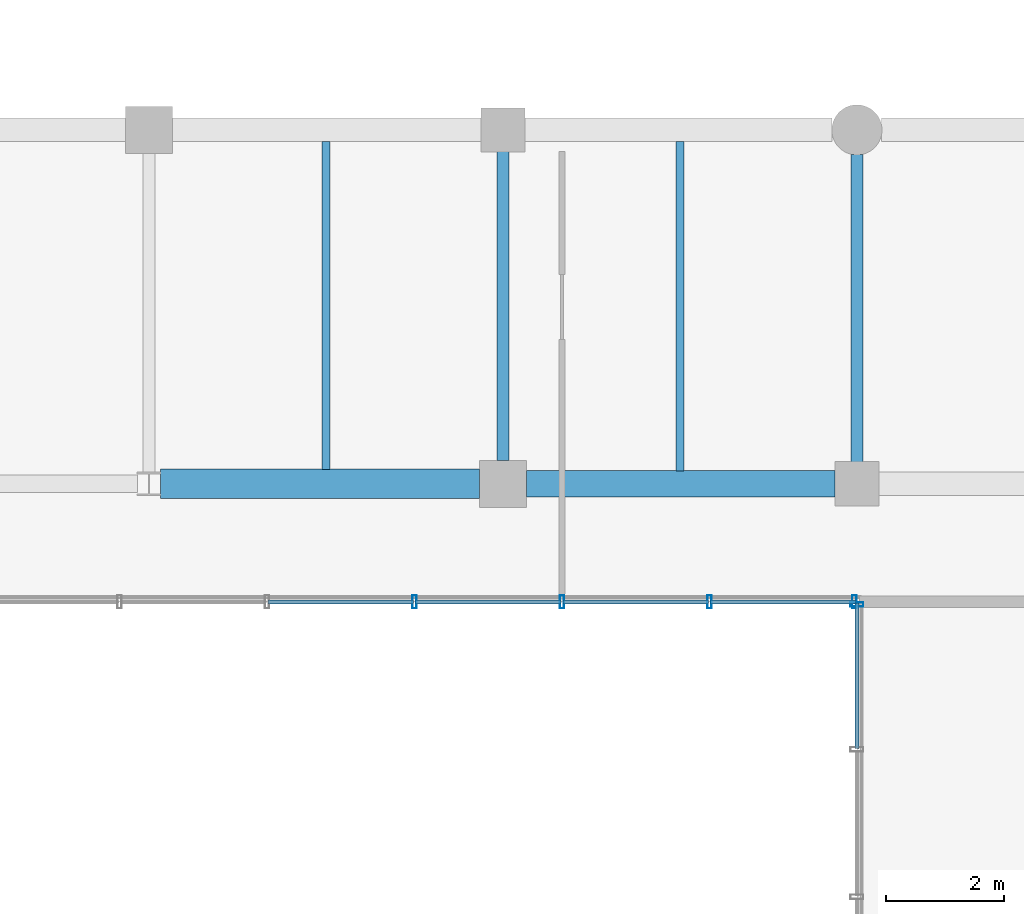
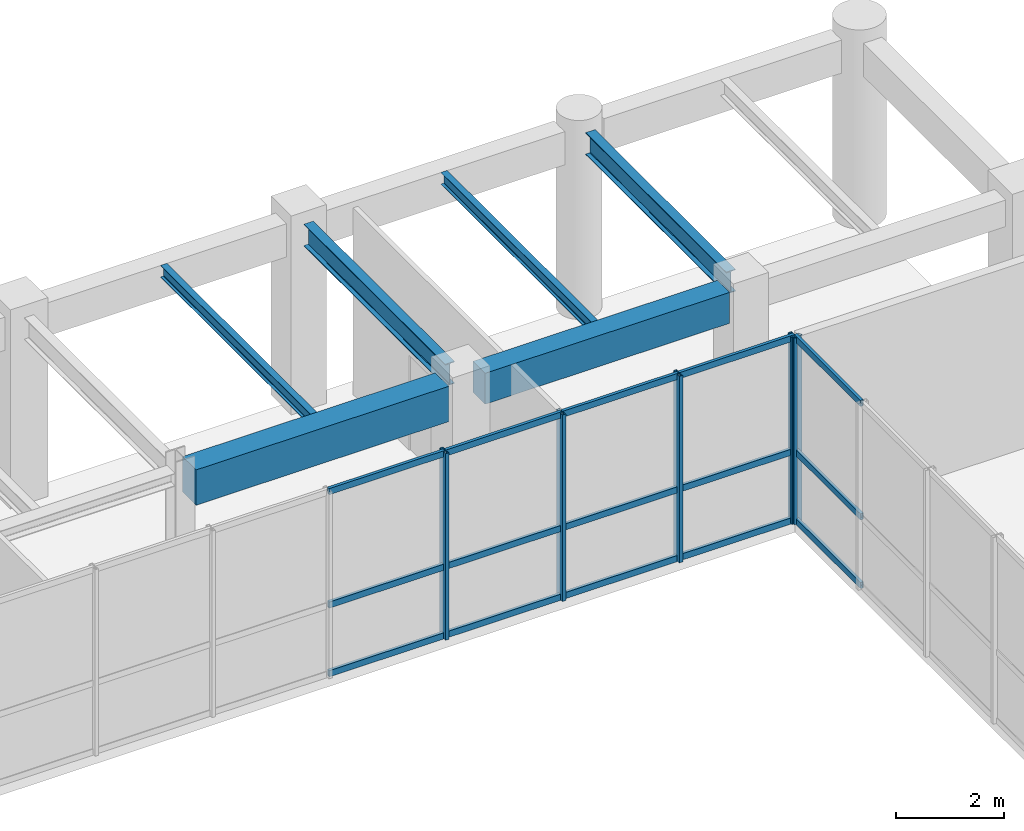
# One storey, part 29 of 133: 20 members, 6 beams, 2 elements without a shape of their own.
"""IFC4 building model written with IfcOpenShell, lengths in metres."""

from ifc_helpers import new_model, si_unit, direction, frame, origin, origin_2d, place, context, subcontext, project, spatial, rectangle, hollow_rectangle, i_section, extrude, material, material_profile, profile_set, type_object, element, aggregate, save


model = new_model("IFC4")

# Units and contexts
model_context = context("Model", 3, precision=1e-05, world=origin(), true_north=direction((0.0, 1.0)))
body_context = subcontext(model_context, "Body", "Model", "MODEL_VIEW")
ifc_project = project(units=[si_unit("LENGTHUNIT", "METRE"), si_unit("AREAUNIT", "SQUARE_METRE"), si_unit("VOLUMEUNIT", "CUBIC_METRE"), si_unit("PLANEANGLEUNIT", "RADIAN"), si_unit("MASSUNIT", "GRAM", prefix="KILO"), si_unit("THERMODYNAMICTEMPERATUREUNIT", "KELVIN"), si_unit("POWERUNIT", "WATT")], contexts=[model_context])

# Site, building, storey
site_placement = place(None, origin())
site = spatial("IfcSite", under=ifc_project, at=site_placement, CompositionType="ELEMENT")
building_placement = place(site_placement, origin())
building = spatial("IfcBuilding", under=site, at=building_placement, Name="Phaisarnlok Congress Hotel", CompositionType="ELEMENT")
storey_placement = place(building_placement, frame((0.0, 0.0, 6.0)))
storey = spatial("IfcBuildingStorey", under=building, at=storey_placement, Name="L01", CompositionType="ELEMENT", Elevation=6.0)

# Beams
ifc_material_1 = material(Name="Concrete C40/50", Category="concrete")
ifc_material_profile_1 = material_profile(ifc_material_1, rectangle(XDim=0.449951171875, YDim=0.699951171875, at=origin_2d()), Name="RC 450x700")
ifc_profile_set_1 = profile_set([ifc_material_profile_1], Name="Concrete C40/50")
beam_type_1 = type_object("IfcBeamType", Name="BM-RC-450x700", PredefinedType="BEAM", material=ifc_profile_set_1)
beam_1_placement = place(storey_placement, frame((84.39501953125, 36.0, 3.8701171875), z_axis=(1.0, 0.0, 0.0), x_axis=(0.0, 1.0, 0.0)))
element("IfcBeam", 1, at=beam_1_placement, inside=storey, type_object=beam_type_1, Name="Beam B-03", PredefinedType="BEAM", context=body_context, shape_type="SweptSolid", body=[
    extrude(rectangle(XDim=0.449951171875, YDim=0.699951171875, at=origin_2d()), origin(), (0.0, 0.0, 1.0), 5.23486328125),
])
ifc_material_profile_2 = material_profile(ifc_material_1, rectangle(XDim=0.5, YDim=0.800048828125, at=origin_2d()), Name="RC 500x800")
ifc_profile_set_2 = profile_set([ifc_material_profile_2], Name="Concrete C40/50")
beam_type_2 = type_object("IfcBeamType", Name="BM-RC-500x800", PredefinedType="BEAM", material=ifc_profile_set_2)
beam_2_placement = place(storey_placement, frame((78.195556640625, 36.0, 3.820068359375), z_axis=(1.0, 0.0, 0.0), x_axis=(0.0, 1.0, 0.0)))
element("IfcBeam", 2, at=beam_2_placement, inside=storey, type_object=beam_type_2, Name="Beam B-04", PredefinedType="BEAM", context=body_context, shape_type="SweptSolid", body=[
    extrude(rectangle(XDim=0.5, YDim=0.800048828125, at=origin_2d()), origin(), (0.0, 0.0, 1.0), 5.409423828125),
])
ifc_material_2 = material(Name="Steel S355", Category="steel")
ifc_material_profile_3 = material_profile(ifc_material_2, i_section(OverallWidth=0.199951171875, OverallDepth=0.5, WebThickness=0.01025390625, FlangeThickness=0.01611328125, FilletRadius=0.02099609375, at=origin_2d()), Name="IPE 500")
ifc_profile_set_3 = profile_set([ifc_material_profile_3], Name="Steel S355")
beam_type_3 = type_object("IfcBeamType", Name="BM-STL-IPE500", PredefinedType="BEAM", material=ifc_profile_set_3)
beam_3_placement = place(storey_placement, frame((84.0, 36.39501953125, 3.969970703125), z_axis=(0.0, 1.0, 0.0), x_axis=(-1.0, 0.0, 0.0)))
element("IfcBeam", 3, at=beam_3_placement, inside=storey, type_object=beam_type_3, Name="Beam SB-02", PredefinedType="BEAM", context=body_context, shape_type="SweptSolid", body=[
    extrude(i_section(OverallWidth=0.199951171875, OverallDepth=0.5, WebThickness=0.01025390625, FlangeThickness=0.01611328125, FilletRadius=0.02099609375, at=origin_2d()), origin(), (0.0, 0.0, 1.0), 5.23486328125),
])
beam_4_placement = place(storey_placement, frame((90.0, 36.3701171875, 3.969970703125), z_axis=(0.0, 1.0, 0.0), x_axis=(-1.0, 0.0, 0.0)))
element("IfcBeam", 4, at=beam_4_placement, inside=storey, type_object=beam_type_3, Name="Beam SB-02", PredefinedType="BEAM", context=body_context, shape_type="SweptSolid", body=[
    extrude(i_section(OverallWidth=0.199951171875, OverallDepth=0.5, WebThickness=0.01025390625, FlangeThickness=0.01611328125, FilletRadius=0.02099609375, at=origin_2d()), origin(), (0.0, 0.0, 1.0), 5.2099609375),
])

# Curtain wall, member
ifc_material_3 = material(Name="Thermally Broken Unitised Aluminium & Low-E Glazing", Category="aluminium")
curtain_wall_type_1 = type_object("IfcCurtainWallType", Name="CW-UNIT-08", PredefinedType="NOTDEFINED", material=ifc_material_3)
curtain_wall_1_placement = place(storey_placement, origin())
curtain_wall_1 = element("IfcCurtainWall", 5, at=curtain_wall_1_placement, inside=storey, type_object=curtain_wall_type_1, Name="Unitised curtain wall CW-08 (L01)", PredefinedType="NOTDEFINED")
ifc_material_4 = material(Name="Anodised Aluminium Alloy 6063-T6", Category="aluminium")
ifc_material_profile_4 = material_profile(ifc_material_4, hollow_rectangle(XDim=0.074951171875, YDim=0.219970703125, WallThickness=0.0048828125, at=origin_2d()), Name="ALU-M 75x220x5")
ifc_profile_set_4 = profile_set([ifc_material_profile_4], Name="Anodised Aluminium Alloy 6063-T6")
member_type_1 = type_object("IfcMemberType", Name="CWM-220", PredefinedType="MULLION", material=ifc_profile_set_4)
member_1_placement = place(storey_placement, frame((90.0, 33.955078125, 0.0), z_axis=(0.0, 0.0, 1.0), x_axis=(0.0, -1.0, 0.0)))
member_1 = element("IfcMember", 6, at=member_1_placement, type_object=member_type_1, Name="Curtain wall mullion CWM-02", PredefinedType="MULLION", context=body_context, shape_type="SweptSolid", body=[
    extrude(hollow_rectangle(XDim=0.074951171875, YDim=0.219970703125, WallThickness=0.0048828125, at=origin_2d()), origin(), (0.0, 0.0, 1.0), 4.219970703125),
])

# Curtain wall, members
curtain_wall_type_2 = type_object("IfcCurtainWallType", Name="CW-UNIT-22", PredefinedType="NOTDEFINED", material=ifc_material_3)
curtain_wall_2_placement = place(storey_placement, origin())
curtain_wall_2 = element("IfcCurtainWall", 7, at=curtain_wall_2_placement, inside=storey, type_object=curtain_wall_type_2, Name="Unitised curtain wall CW-22 (L01)", PredefinedType="NOTDEFINED")
member_2_placement = place(storey_placement, frame((82.5, 34.0, 0.0), z_axis=(0.0, 0.0, 1.0), x_axis=(1.0, 0.0, 0.0)))
member_2 = element("IfcMember", 8, at=member_2_placement, type_object=member_type_1, Name="Curtain wall mullion CWM-02", PredefinedType="MULLION", context=body_context, shape_type="SweptSolid", body=[
    extrude(hollow_rectangle(XDim=0.074951171875, YDim=0.219970703125, WallThickness=0.0048828125, at=origin_2d()), origin(), (0.0, 0.0, 1.0), 4.219970703125),
])
member_3_placement = place(storey_placement, frame((85.0, 34.0, 0.0), z_axis=(0.0, 0.0, 1.0), x_axis=(1.0, 0.0, 0.0)))
member_3 = element("IfcMember", 9, at=member_3_placement, type_object=member_type_1, Name="Curtain wall mullion CWM-02", PredefinedType="MULLION", context=body_context, shape_type="SweptSolid", body=[
    extrude(hollow_rectangle(XDim=0.074951171875, YDim=0.219970703125, WallThickness=0.0048828125, at=origin_2d()), origin(), (0.0, 0.0, 1.0), 4.219970703125),
])
member_4_placement = place(storey_placement, frame((87.5, 34.0, 0.0), z_axis=(0.0, 0.0, 1.0), x_axis=(1.0, 0.0, 0.0)))
member_4 = element("IfcMember", 10, at=member_4_placement, type_object=member_type_1, Name="Curtain wall mullion CWM-02", PredefinedType="MULLION", context=body_context, shape_type="SweptSolid", body=[
    extrude(hollow_rectangle(XDim=0.074951171875, YDim=0.219970703125, WallThickness=0.0048828125, at=origin_2d()), origin(), (0.0, 0.0, 1.0), 4.219970703125),
])
member_5_placement = place(storey_placement, frame((89.955078125, 34.0, 0.0), z_axis=(0.0, 0.0, 1.0), x_axis=(1.0, 0.0, 0.0)))
member_5 = element("IfcMember", 11, at=member_5_placement, type_object=member_type_1, Name="Curtain wall mullion CWM-02", PredefinedType="MULLION", context=body_context, shape_type="SweptSolid", body=[
    extrude(hollow_rectangle(XDim=0.074951171875, YDim=0.219970703125, WallThickness=0.0048828125, at=origin_2d()), origin(), (0.0, 0.0, 1.0), 4.219970703125),
])

# Member
ifc_material_profile_5 = material_profile(ifc_material_4, hollow_rectangle(XDim=0.06494140625, YDim=0.139892578125, WallThickness=0.00390625, at=origin_2d()), Name="ALU-T 65x140x4")
ifc_profile_set_5 = profile_set([ifc_material_profile_5], Name="Anodised Aluminium Alloy 6063-T6")
member_type_2 = type_object("IfcMemberType", Name="CWT-150", PredefinedType="USERDEFINED", material=ifc_profile_set_5)
member_6_placement = place(storey_placement, frame((90.0, 33.97998046875, 0.050048828125), z_axis=(0.0, -1.0, 0.0), x_axis=(1.0, 0.0, 0.0)))
member_6 = element("IfcMember", 12, at=member_6_placement, type_object=member_type_2, Name="Curtain wall transom CWT-01", ObjectType="TRANSOM", PredefinedType="USERDEFINED", context=body_context, shape_type="SweptSolid", body=[
    extrude(hollow_rectangle(XDim=0.06494140625, YDim=0.139892578125, WallThickness=0.00390625, at=origin_2d()), origin(), (0.0, 0.0, 1.0), 2.465087890625),
])

member_7_placement = place(storey_placement, frame((90.0, 33.97998046875, 1.603515625), z_axis=(0.0, -1.0, 0.0), x_axis=(1.0, 0.0, 0.0)))
member_7 = element("IfcMember", 13, at=member_7_placement, type_object=member_type_2, Name="Curtain wall transom CWT-01", ObjectType="TRANSOM", PredefinedType="USERDEFINED", context=body_context, shape_type="SweptSolid", body=[
    extrude(hollow_rectangle(XDim=0.06494140625, YDim=0.139892578125, WallThickness=0.00390625, at=origin_2d()), origin(), (0.0, 0.0, 1.0), 2.465087890625),
])

member_8_placement = place(storey_placement, frame((90.0, 33.97998046875, 4.169921875), z_axis=(0.0, -1.0, 0.0), x_axis=(1.0, 0.0, 0.0)))
member_8 = element("IfcMember", 14, at=member_8_placement, type_object=member_type_2, Name="Curtain wall transom CWT-01", ObjectType="TRANSOM", PredefinedType="USERDEFINED", context=body_context, shape_type="SweptSolid", body=[
    extrude(hollow_rectangle(XDim=0.06494140625, YDim=0.139892578125, WallThickness=0.00390625, at=origin_2d()), origin(), (0.0, 0.0, 1.0), 2.465087890625),
])

aggregate(curtain_wall_1, [member_1, member_6, member_7, member_8])

member_9_placement = place(storey_placement, frame((80.014892578125, 34.0, 0.050048828125), z_axis=(1.0, 0.0, 0.0), x_axis=(0.0, 1.0, 0.0)))
member_9 = element("IfcMember", 15, at=member_9_placement, type_object=member_type_2, Name="Curtain wall transom CWT-01", ObjectType="TRANSOM", PredefinedType="USERDEFINED", context=body_context, shape_type="SweptSolid", body=[
    extrude(hollow_rectangle(XDim=0.06494140625, YDim=0.139892578125, WallThickness=0.00390625, at=origin_2d()), origin(), (0.0, 0.0, 1.0), 2.47021484375),
])

member_10_placement = place(storey_placement, frame((80.014892578125, 34.0, 1.603515625), z_axis=(1.0, 0.0, 0.0), x_axis=(0.0, 1.0, 0.0)))
member_10 = element("IfcMember", 16, at=member_10_placement, type_object=member_type_2, Name="Curtain wall transom CWT-01", ObjectType="TRANSOM", PredefinedType="USERDEFINED", context=body_context, shape_type="SweptSolid", body=[
    extrude(hollow_rectangle(XDim=0.06494140625, YDim=0.139892578125, WallThickness=0.00390625, at=origin_2d()), origin(), (0.0, 0.0, 1.0), 2.47021484375),
])

member_11_placement = place(storey_placement, frame((80.014892578125, 34.0, 4.169921875), z_axis=(1.0, 0.0, 0.0), x_axis=(0.0, 1.0, 0.0)))
member_11 = element("IfcMember", 17, at=member_11_placement, type_object=member_type_2, Name="Curtain wall transom CWT-01", ObjectType="TRANSOM", PredefinedType="USERDEFINED", context=body_context, shape_type="SweptSolid", body=[
    extrude(hollow_rectangle(XDim=0.06494140625, YDim=0.139892578125, WallThickness=0.00390625, at=origin_2d()), origin(), (0.0, 0.0, 1.0), 2.47021484375),
])

member_12_placement = place(storey_placement, frame((82.514892578125, 34.0, 0.050048828125), z_axis=(1.0, 0.0, 0.0), x_axis=(0.0, 1.0, 0.0)))
member_12 = element("IfcMember", 18, at=member_12_placement, type_object=member_type_2, Name="Curtain wall transom CWT-01", ObjectType="TRANSOM", PredefinedType="USERDEFINED", context=body_context, shape_type="SweptSolid", body=[
    extrude(hollow_rectangle(XDim=0.06494140625, YDim=0.139892578125, WallThickness=0.00390625, at=origin_2d()), origin(), (0.0, 0.0, 1.0), 2.47021484375),
])

member_13_placement = place(storey_placement, frame((82.514892578125, 34.0, 1.603515625), z_axis=(1.0, 0.0, 0.0), x_axis=(0.0, 1.0, 0.0)))
member_13 = element("IfcMember", 19, at=member_13_placement, type_object=member_type_2, Name="Curtain wall transom CWT-01", ObjectType="TRANSOM", PredefinedType="USERDEFINED", context=body_context, shape_type="SweptSolid", body=[
    extrude(hollow_rectangle(XDim=0.06494140625, YDim=0.139892578125, WallThickness=0.00390625, at=origin_2d()), origin(), (0.0, 0.0, 1.0), 2.47021484375),
])

member_14_placement = place(storey_placement, frame((82.514892578125, 34.0, 4.169921875), z_axis=(1.0, 0.0, 0.0), x_axis=(0.0, 1.0, 0.0)))
member_14 = element("IfcMember", 20, at=member_14_placement, type_object=member_type_2, Name="Curtain wall transom CWT-01", ObjectType="TRANSOM", PredefinedType="USERDEFINED", context=body_context, shape_type="SweptSolid", body=[
    extrude(hollow_rectangle(XDim=0.06494140625, YDim=0.139892578125, WallThickness=0.00390625, at=origin_2d()), origin(), (0.0, 0.0, 1.0), 2.47021484375),
])

member_15_placement = place(storey_placement, frame((85.014892578125, 34.0, 0.050048828125), z_axis=(1.0, 0.0, 0.0), x_axis=(0.0, 1.0, 0.0)))
member_15 = element("IfcMember", 21, at=member_15_placement, type_object=member_type_2, Name="Curtain wall transom CWT-01", ObjectType="TRANSOM", PredefinedType="USERDEFINED", context=body_context, shape_type="SweptSolid", body=[
    extrude(hollow_rectangle(XDim=0.06494140625, YDim=0.139892578125, WallThickness=0.00390625, at=origin_2d()), origin(), (0.0, 0.0, 1.0), 2.47021484375),
])

member_16_placement = place(storey_placement, frame((85.014892578125, 34.0, 1.603515625), z_axis=(1.0, 0.0, 0.0), x_axis=(0.0, 1.0, 0.0)))
member_16 = element("IfcMember", 22, at=member_16_placement, type_object=member_type_2, Name="Curtain wall transom CWT-01", ObjectType="TRANSOM", PredefinedType="USERDEFINED", context=body_context, shape_type="SweptSolid", body=[
    extrude(hollow_rectangle(XDim=0.06494140625, YDim=0.139892578125, WallThickness=0.00390625, at=origin_2d()), origin(), (0.0, 0.0, 1.0), 2.47021484375),
])

member_17_placement = place(storey_placement, frame((85.014892578125, 34.0, 4.169921875), z_axis=(1.0, 0.0, 0.0), x_axis=(0.0, 1.0, 0.0)))
member_17 = element("IfcMember", 23, at=member_17_placement, type_object=member_type_2, Name="Curtain wall transom CWT-01", ObjectType="TRANSOM", PredefinedType="USERDEFINED", context=body_context, shape_type="SweptSolid", body=[
    extrude(hollow_rectangle(XDim=0.06494140625, YDim=0.139892578125, WallThickness=0.00390625, at=origin_2d()), origin(), (0.0, 0.0, 1.0), 2.47021484375),
])

member_18_placement = place(storey_placement, frame((87.514892578125, 34.0, 0.050048828125), z_axis=(1.0, 0.0, 0.0), x_axis=(0.0, 1.0, 0.0)))
member_18 = element("IfcMember", 24, at=member_18_placement, type_object=member_type_2, Name="Curtain wall transom CWT-01", ObjectType="TRANSOM", PredefinedType="USERDEFINED", context=body_context, shape_type="SweptSolid", body=[
    extrude(hollow_rectangle(XDim=0.06494140625, YDim=0.139892578125, WallThickness=0.00390625, at=origin_2d()), origin(), (0.0, 0.0, 1.0), 2.465087890625),
])

member_19_placement = place(storey_placement, frame((87.514892578125, 34.0, 1.603515625), z_axis=(1.0, 0.0, 0.0), x_axis=(0.0, 1.0, 0.0)))
member_19 = element("IfcMember", 25, at=member_19_placement, type_object=member_type_2, Name="Curtain wall transom CWT-01", ObjectType="TRANSOM", PredefinedType="USERDEFINED", context=body_context, shape_type="SweptSolid", body=[
    extrude(hollow_rectangle(XDim=0.06494140625, YDim=0.139892578125, WallThickness=0.00390625, at=origin_2d()), origin(), (0.0, 0.0, 1.0), 2.465087890625),
])

member_20_placement = place(storey_placement, frame((87.514892578125, 34.0, 4.169921875), z_axis=(1.0, 0.0, 0.0), x_axis=(0.0, 1.0, 0.0)))
member_20 = element("IfcMember", 26, at=member_20_placement, type_object=member_type_2, Name="Curtain wall transom CWT-01", ObjectType="TRANSOM", PredefinedType="USERDEFINED", context=body_context, shape_type="SweptSolid", body=[
    extrude(hollow_rectangle(XDim=0.06494140625, YDim=0.139892578125, WallThickness=0.00390625, at=origin_2d()), origin(), (0.0, 0.0, 1.0), 2.465087890625),
])

aggregate(curtain_wall_2, [member_2, member_3, member_4, member_5, member_9, member_10, member_11, member_12, member_13, member_14, member_15, member_16, member_17, member_18, member_19, member_20])

# Beams
ifc_material_profile_6 = material_profile(ifc_material_2, i_section(OverallWidth=0.135009765625, OverallDepth=0.27001953125, WebThickness=0.006591796875, FlangeThickness=0.01025390625, FilletRadius=0.014892578125, at=origin_2d()), Name="IPE 270")
ifc_profile_set_6 = profile_set([ifc_material_profile_6], Name="Steel S355")
beam_type_4 = type_object("IfcBeamType", Name="JS-STL-IPE270", PredefinedType="JOIST", material=ifc_profile_set_6)
beam_5_placement = place(storey_placement, frame((81.0, 36.2451171875, 4.0849609375), z_axis=(0.0, 1.0, 0.0), x_axis=(-1.0, 0.0, 0.0)))
element("IfcBeam", 27, at=beam_5_placement, inside=storey, type_object=beam_type_4, Name="Secondary floor joist J-02", PredefinedType="JOIST", context=body_context, shape_type="SweptSolid", body=[
    extrude(i_section(OverallWidth=0.135009765625, OverallDepth=0.27001953125, WebThickness=0.006591796875, FlangeThickness=0.01025390625, FilletRadius=0.014892578125, at=origin_2d()), origin(), (0.0, 0.0, 1.0), 5.559814453125),
])
beam_6_placement = place(storey_placement, frame((87.0, 36.219970703125, 4.0849609375), z_axis=(0.0, 1.0, 0.0), x_axis=(-1.0, 0.0, 0.0)))
element("IfcBeam", 28, at=beam_6_placement, inside=storey, type_object=beam_type_4, Name="Secondary floor joist J-02", PredefinedType="JOIST", context=body_context, shape_type="SweptSolid", body=[
    extrude(i_section(OverallWidth=0.135009765625, OverallDepth=0.27001953125, WebThickness=0.006591796875, FlangeThickness=0.01025390625, FilletRadius=0.014892578125, at=origin_2d()), origin(), (0.0, 0.0, 1.0), 5.5849609375),
])

save(model, "model.ifc")
